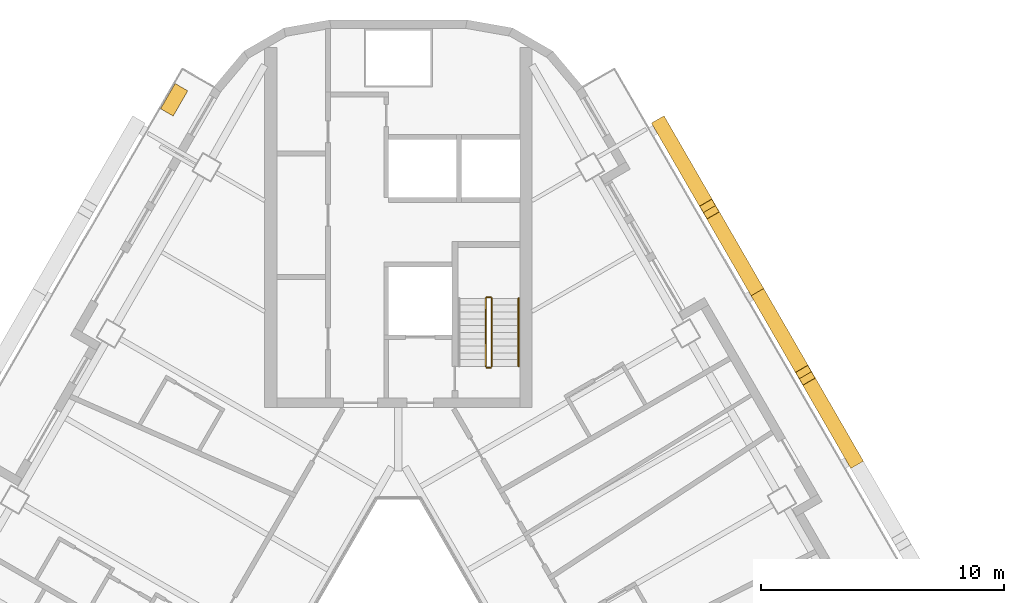
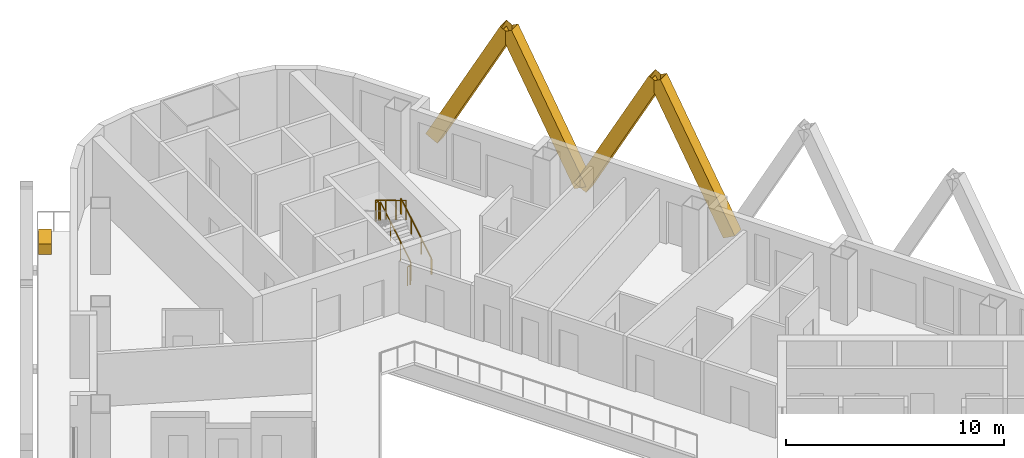
# One storey, part 14 of 14: 5 railings, 4 shading devices, 1 covering.
"""IFC4 building model written with IfcOpenShell, lengths in metres."""

from ifc_helpers import new_model, si_unit, direction, frame, origin, origin_2d, place, context, subcontext, project, spatial, rectangle, hollow_rectangle, circle, extrude, material, material_profile, profile_set, type_object, element, save


model = new_model("IFC4")

# Units and contexts
model_context = context("Model", 3, precision=1e-05, world=origin(), true_north=direction((0.0, 1.0)))
body_context = subcontext(model_context, "Body", "Model", "MODEL_VIEW")
ifc_project = project(units=[si_unit("LENGTHUNIT", "METRE"), si_unit("AREAUNIT", "SQUARE_METRE"), si_unit("VOLUMEUNIT", "CUBIC_METRE"), si_unit("PLANEANGLEUNIT", "RADIAN"), si_unit("MASSUNIT", "GRAM", prefix="KILO")], contexts=[model_context])

# Site, building, storey
site_placement = place(None, origin())
site = spatial("IfcSite", under=ifc_project, at=site_placement, CompositionType="ELEMENT")
building_placement = place(site_placement, origin())
building = spatial("IfcBuilding", under=site, at=building_placement, Name="Apuvela Tower Hotel", CompositionType="ELEMENT")
storey_placement = place(building_placement, frame((0.0, 0.0, 120.5)))
storey = spatial("IfcBuildingStorey", under=building, at=storey_placement, Name="L28", CompositionType="ELEMENT", Elevation=120.5)

# Railings
ifc_material_1 = material(Name="Steel S275 balustrade", Category="steel")
railing_type_1 = type_object("IfcRailingType", Name="COR-GUARD-1100", PredefinedType="GUARDRAIL", material=ifc_material_1)
railing_1_placement = place(storey_placement, frame((3.85009765625, 14.60009765625, 0.168212890625)))
element("IfcRailing", 1, at=railing_1_placement, inside=storey, type_object=railing_type_1, Name="L28 ST1 stair guard 1", PredefinedType="GUARDRAIL", context=body_context, shape_type="SweptSolid", body=[
    extrude(rectangle(XDim=0.048095703125, YDim=0.048095703125, at=origin_2d()), frame((0.0, 0.0, 1.076171875), z_axis=(0.0, 0.857222391501, 0.514946377315), x_axis=(-1.0, 0.0, 0.0)), (0.0, 0.0, 1.0), 3.26611328125),
    extrude(rectangle(XDim=0.0419921875, YDim=0.0419921875, at=origin_2d()), origin(), (0.0, 0.0, 1.0), 1.052001953125),
    extrude(rectangle(XDim=0.0419921875, YDim=0.0419921875, at=origin_2d()), frame((0.0, 0.933349609375, 0.560546875)), (0.0, 0.0, 1.0), 1.052001953125),
    extrude(rectangle(XDim=0.0419921875, YDim=0.0419921875, at=origin_2d()), frame((0.0, 1.866455078125, 1.121337890625)), (0.0, 0.0, 1.0), 1.052001953125),
    extrude(rectangle(XDim=0.0419921875, YDim=0.0419921875, at=origin_2d()), frame((0.0, 2.7998046875, 1.681884765625)), (0.0, 0.0, 1.0), 1.052001953125),
])
railing_2_placement = place(storey_placement, frame((3.800048828125, 17.449951171875, 1.85009765625)))
element("IfcRailing", 2, at=railing_2_placement, inside=storey, type_object=railing_type_1, Name="L28 ST1 stair guard 2", PredefinedType="GUARDRAIL", context=body_context, shape_type="SweptSolid", body=[
    extrude(rectangle(XDim=0.048095703125, YDim=0.048095703125, at=origin_2d()), frame((0.0, 0.0, 1.076171875), z_axis=(-1.0, 0.0, 0.0), x_axis=(0.0, -1.0, 0.0)), (0.0, 0.0, 1.0), 0.150146484375),
    extrude(rectangle(XDim=0.0419921875, YDim=0.0419921875, at=origin_2d()), origin(), (0.0, 0.0, 1.0), 1.052001953125),
    extrude(rectangle(XDim=0.0419921875, YDim=0.0419921875, at=origin_2d()), frame((-0.150146484375, 0.0, 0.0)), (0.0, 0.0, 1.0), 1.052001953125),
])
railing_3_placement = place(storey_placement, frame((3.60009765625, 17.39990234375, 2.01806640625)))
element("IfcRailing", 3, at=railing_3_placement, inside=storey, type_object=railing_type_1, Name="L28 ST1 stair guard 3", PredefinedType="GUARDRAIL", context=body_context, shape_type="SweptSolid", body=[
    extrude(rectangle(XDim=0.048095703125, YDim=0.048095703125, at=origin_2d()), frame((0.0, 0.0, 1.076171875), z_axis=(0.0, -0.857222391501, 0.514946377315), x_axis=(1.0, 0.0, 0.0)), (0.0, 0.0, 1.0), 3.26611328125),
    extrude(rectangle(XDim=0.0419921875, YDim=0.0419921875, at=origin_2d()), origin(), (0.0, 0.0, 1.0), 1.052001953125),
    extrude(rectangle(XDim=0.0419921875, YDim=0.0419921875, at=origin_2d()), frame((0.0, -0.933349609375, 0.560546875)), (0.0, 0.0, 1.0), 1.052001953125),
    extrude(rectangle(XDim=0.0419921875, YDim=0.0419921875, at=origin_2d()), frame((0.0, -1.866455078125, 1.121337890625)), (0.0, 0.0, 1.0), 1.052001953125),
    extrude(rectangle(XDim=0.0419921875, YDim=0.0419921875, at=origin_2d()), frame((0.0, -2.7998046875, 1.681884765625)), (0.0, 0.0, 1.0), 1.052001953125),
])
railing_4_placement = place(storey_placement, frame((3.800048828125, 14.550048828125, 0.0)))
element("IfcRailing", 4, at=railing_4_placement, inside=storey, type_object=railing_type_1, Name="L28 ST1 stair guard 4", PredefinedType="GUARDRAIL", context=body_context, shape_type="SweptSolid", body=[
    extrude(rectangle(XDim=0.048095703125, YDim=0.048095703125, at=origin_2d()), frame((0.0, 0.0, 1.076171875), z_axis=(-1.0, 0.0, 0.0), x_axis=(0.0, -1.0, 0.0)), (0.0, 0.0, 1.0), 0.150146484375),
    extrude(rectangle(XDim=0.0419921875, YDim=0.0419921875, at=origin_2d()), origin(), (0.0, 0.0, 1.0), 1.052001953125),
    extrude(rectangle(XDim=0.0419921875, YDim=0.0419921875, at=origin_2d()), frame((-0.150146484375, 0.0, 0.0)), (0.0, 0.0, 1.0), 1.052001953125),
])
ifc_material_2 = material(Name="Stainless steel 316 handrail", Category="steel")
railing_type_2 = type_object("IfcRailingType", Name="COR-HANDRAIL-900", PredefinedType="HANDRAIL", material=ifc_material_2)
railing_5_placement = place(storey_placement, frame((4.949951171875, 14.60009765625, 0.168212890625)))
element("IfcRailing", 5, at=railing_5_placement, inside=storey, type_object=railing_type_2, Name="L28 ST1 stair handrail 1", PredefinedType="HANDRAIL", context=body_context, shape_type="SweptSolid", body=[
    extrude(circle(Radius=0.02392578125, at=origin_2d()), frame((0.0, 0.0, 0.8759765625), z_axis=(0.0, 0.857222391501, 0.514946377315), x_axis=(-1.0, 0.0, 0.0)), (0.0, 0.0, 1.0), 3.26611328125),
    extrude(rectangle(XDim=0.0419921875, YDim=0.0419921875, at=origin_2d()), origin(), (0.0, 0.0, 1.0), 0.851806640625),
    extrude(rectangle(XDim=0.0419921875, YDim=0.0419921875, at=origin_2d()), frame((0.0, 0.933349609375, 0.560546875)), (0.0, 0.0, 1.0), 0.851806640625),
    extrude(rectangle(XDim=0.0419921875, YDim=0.0419921875, at=origin_2d()), frame((0.0, 1.866455078125, 1.121337890625)), (0.0, 0.0, 1.0), 0.851806640625),
    extrude(rectangle(XDim=0.0419921875, YDim=0.0419921875, at=origin_2d()), frame((0.0, 2.7998046875, 1.681884765625)), (0.0, 0.0, 1.0), 0.851806640625),
])

# Shading devices
ifc_material_3 = material(Name="Aluminium 6063-T6, black anodised", Category="aluminium")
ifc_material_profile = material_profile(ifc_material_3, hollow_rectangle(XDim=0.60009765625, YDim=0.699951171875, WallThickness=0.011962890625, at=origin_2d()), Name="AL BOX 700x600x12")
ifc_profile_set = profile_set([ifc_material_profile], Name="Aluminium 6063-T6, black anodised")
shading_device_type = type_object("IfcShadingDeviceType", Name="ENV-FIN-700x600", PredefinedType="USERDEFINED", material=ifc_profile_set)
for number, where, z_axis, x_axis, name in (
    (6, (18.732177734375, 10.81494140625, -0.10009765625), (-0.235455039791, 0.407811621453, 0.882185131163), (-0.866020906874, -0.500007788796, 0.0), "Lattice fin NE229"),
    (7, (14.781982421875, 17.656494140625, -0.10009765625), (0.235457834389, -0.407787356937, 0.88219560175), (0.866005453737, 0.500034552904, 0.0), "Lattice fin NE230"),
    (8, (14.781982421875, 17.656494140625, -0.10009765625), (-0.235427548578, 0.407814415956, 0.882191176281), (-0.866047669374, -0.499961432884, 0.0), "Lattice fin NE231"),
    (9, (10.83203125, 24.498291015625, -0.10009765625), (0.235455039791, -0.407811621453, 0.882185131163), (0.866020906874, 0.500007788796, 0.0), "Lattice fin NE232"),
):
    element("IfcShadingDevice", number, at=place(storey_placement, frame(where, z_axis=z_axis, x_axis=x_axis)), inside=storey, type_object=shading_device_type, Name=name, ObjectType="FIN", PredefinedType="USERDEFINED", context=body_context, shape_type="SweptSolid", body=[
        extrude(hollow_rectangle(XDim=0.60009765625, YDim=0.699951171875, WallThickness=0.011962890625, at=origin_2d()), origin(), (0.0, 0.0, 1.0), 8.388427734375),
    ])

# Covering
ifc_material_4 = material(Name="Planting substrate and soil, planted")
covering_type = type_object("IfcCoveringType", Name="ENV-PLANTER-1200x600", PredefinedType="USERDEFINED", material=ifc_material_4)
covering_placement = place(storey_placement, frame((-9.228515625, 25.57568359375, 0.0), z_axis=(0.0, 0.0, 1.0), x_axis=(-0.5, -0.866025403784, 0.0)))
element("IfcCovering", 10, at=covering_placement, inside=storey, type_object=covering_type, Name="Planter NW4", ObjectType="PLANTER", PredefinedType="USERDEFINED", context=body_context, shape_type="SweptSolid", body=[
    extrude(rectangle(XDim=1.199951171875, YDim=0.60009765625, at=origin_2d()), origin(), (0.0, 0.0, 1.0), 0.60009765625),
])

save(model, "model.ifc")
